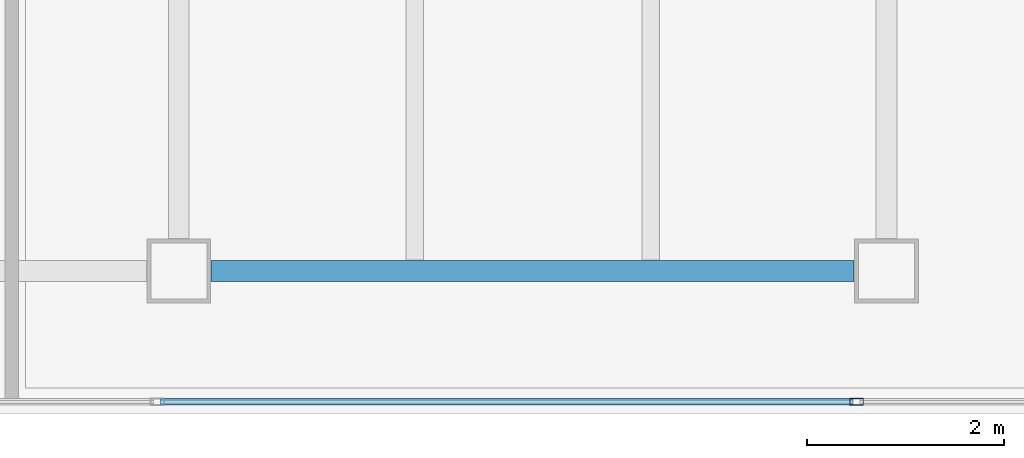
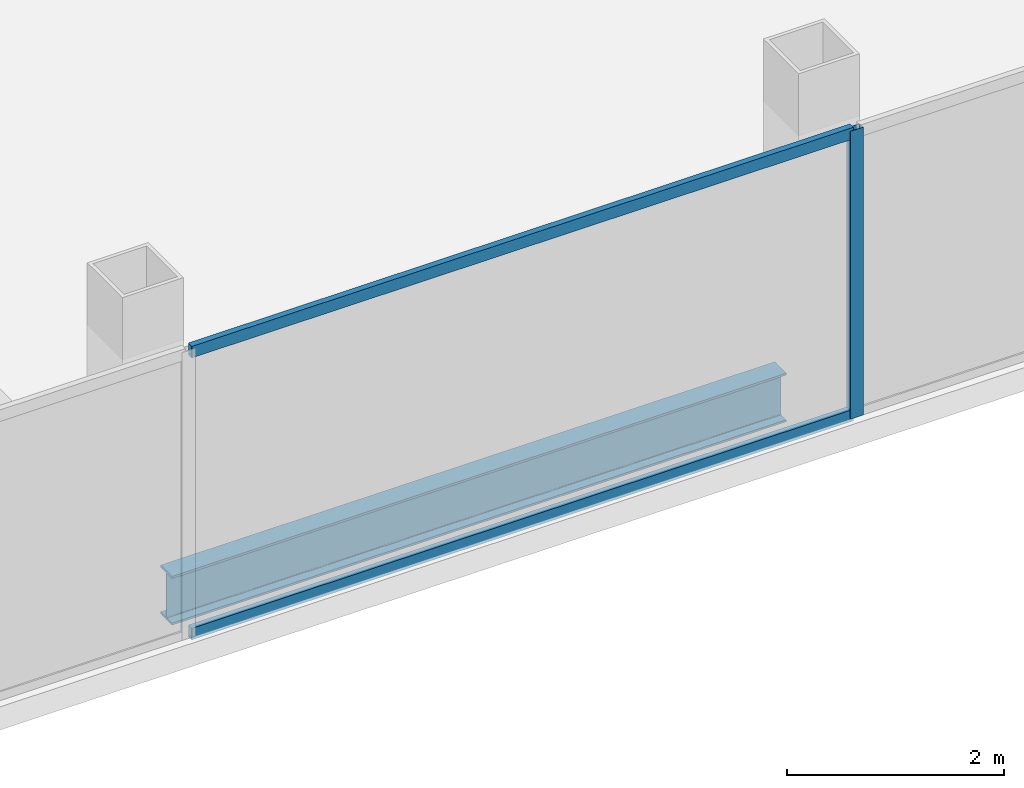
# One storey, part 12 of 23: 3 members, 1 beam, 1 element without a shape of its own.
"""IFC4 building model written with IfcOpenShell, lengths in metres."""

from ifc_helpers import new_model, si_unit, direction, frame, origin, origin_2d, place, context, subcontext, project, spatial, hollow_rectangle, i_section, extrude, material, material_profile, profile_set, type_object, element, aggregate, save


model = new_model("IFC4")

# Units and contexts
model_context = context("Model", 3, precision=1e-05, world=origin(), true_north=direction((0.0, 1.0)))
body_context = subcontext(model_context, "Body", "Model", "MODEL_VIEW")
ifc_project = project(units=[si_unit("LENGTHUNIT", "METRE"), si_unit("AREAUNIT", "SQUARE_METRE"), si_unit("VOLUMEUNIT", "CUBIC_METRE"), si_unit("PLANEANGLEUNIT", "RADIAN"), si_unit("MASSUNIT", "GRAM", prefix="KILO")], contexts=[model_context])

# Site, building, storey
site_placement = place(None, origin())
site = spatial("IfcSite", under=ifc_project, at=site_placement, CompositionType="ELEMENT")
building_placement = place(site_placement, origin())
building = spatial("IfcBuilding", under=site, at=building_placement, Name="Cobrela Telecom Tower", CompositionType="ELEMENT")
storey_placement = place(building_placement, frame((0.0, 0.0, 279.64990234375)))
storey = spatial("IfcBuildingStorey", under=building, at=storey_placement, Name="L73", CompositionType="ELEMENT", Elevation=279.64990234375)

# Beam
ifc_material_1 = material(Name="Steel ASTM A992 Grade 50", Category="steel")
ifc_material_profile_1 = material_profile(ifc_material_1, i_section(OverallWidth=0.212890625, OverallDepth=0.549072265625, WebThickness=0.0146484375, FlangeThickness=0.023681640625, FilletRadius=0.013916015625, at=origin_2d()), Name="W21X93")
ifc_profile_set_1 = profile_set([ifc_material_profile_1], Name="Steel ASTM A992 Grade 50")
beam_type = type_object("IfcBeamType", Name="BM-GIRD-08", PredefinedType="USERDEFINED", material=ifc_profile_set_1)
beam_placement = place(storey_placement, frame((29.1298828125, 7.85009765625, -0.534423828125), z_axis=(1.0, 0.0, 0.0), x_axis=(0.0, 1.0, 0.0)))
element("IfcBeam", 1, at=beam_placement, inside=storey, type_object=beam_type, Name="L73 Primary Girder X04", ObjectType="GIRDER", PredefinedType="USERDEFINED", context=body_context, shape_type="SweptSolid", body=[
    extrude(i_section(OverallWidth=0.212890625, OverallDepth=0.549072265625, WebThickness=0.0146484375, FlangeThickness=0.023681640625, FilletRadius=0.013916015625, at=origin_2d()), origin(), (0.0, 0.0, 1.0), 6.5400390625),
])

# Curtain wall, members
ifc_material_2 = material(Name="Anodized Bronze Aluminium 6063-T6", Category="aluminium")
curtain_wall_type = type_object("IfcCurtainWallType", Name="CW-SYS-OFF-HI", PredefinedType="USERDEFINED", material=ifc_material_2)
curtain_wall_placement = place(storey_placement, origin())
curtain_wall = element("IfcCurtainWall", 2, at=curtain_wall_placement, inside=storey, type_object=curtain_wall_type, Name="L73 Unitised Bronze Curtain Wall 15", ObjectType="UNITISED CURTAIN WALL", PredefinedType="USERDEFINED")
ifc_material_profile_2 = material_profile(ifc_material_2, hollow_rectangle(XDim=0.070068359375, YDim=0.139892578125, WallThickness=0.00390625, at=origin_2d()), Name="ALU 70x140x4")
ifc_profile_set_2 = profile_set([ifc_material_profile_2], Name="Anodized Bronze Aluminium 6063-T6")
member_type_1 = type_object("IfcMemberType", Name="CW-SYS-OFF-HI-MUL", PredefinedType="MULLION", material=ifc_profile_set_2)
member_1_placement = place(storey_placement, frame((35.695068359375, 6.52001953125, 0.0), z_axis=(0.0, 0.0, 1.0), x_axis=(0.0, -1.0, 0.0)))
member_1 = element("IfcMember", 3, at=member_1_placement, type_object=member_type_1, Name="CW-OFF-HI mullion 2", PredefinedType="MULLION", context=body_context, shape_type="SweptSolid", body=[
    extrude(hollow_rectangle(XDim=0.070068359375, YDim=0.139892578125, WallThickness=0.00390625, at=origin_2d()), origin(), (0.0, 0.0, 1.0), 3.239990234375),
])
ifc_material_profile_3 = material_profile(ifc_material_2, hollow_rectangle(XDim=0.06494140625, YDim=0.1298828125, WallThickness=0.00390625, at=origin_2d()), Name="ALU 65x130x4")
ifc_profile_set_3 = profile_set([ifc_material_profile_3], Name="Anodized Bronze Aluminium 6063-T6")
member_type_2 = type_object("IfcMemberType", Name="CW-SYS-OFF-HI-TRN", PredefinedType="USERDEFINED", material=ifc_profile_set_3)
member_2_placement = place(storey_placement, frame((35.659912109375, 6.52001953125, 0.03271484375), z_axis=(-1.0, 0.0, 0.0), x_axis=(0.0, -1.0, 0.0)))
member_2 = element("IfcMember", 4, at=member_2_placement, type_object=member_type_2, Name="CW-OFF-HI transom 2.1", ObjectType="TRANSOM", PredefinedType="USERDEFINED", context=body_context, shape_type="SweptSolid", body=[
    extrude(hollow_rectangle(XDim=0.06494140625, YDim=0.1298828125, WallThickness=0.00390625, at=origin_2d()), origin(), (0.0, 0.0, 1.0), 7.044921875),
])
member_3_placement = place(storey_placement, frame((35.659912109375, 6.52001953125, 3.20751953125), z_axis=(-1.0, 0.0, 0.0), x_axis=(0.0, -1.0, 0.0)))
member_3 = element("IfcMember", 5, at=member_3_placement, type_object=member_type_2, Name="CW-OFF-HI transom 2.2", ObjectType="TRANSOM", PredefinedType="USERDEFINED", context=body_context, shape_type="SweptSolid", body=[
    extrude(hollow_rectangle(XDim=0.06494140625, YDim=0.1298828125, WallThickness=0.00390625, at=origin_2d()), origin(), (0.0, 0.0, 1.0), 7.044921875),
])
aggregate(curtain_wall, [member_1, member_2, member_3])

save(model, "model.ifc")
